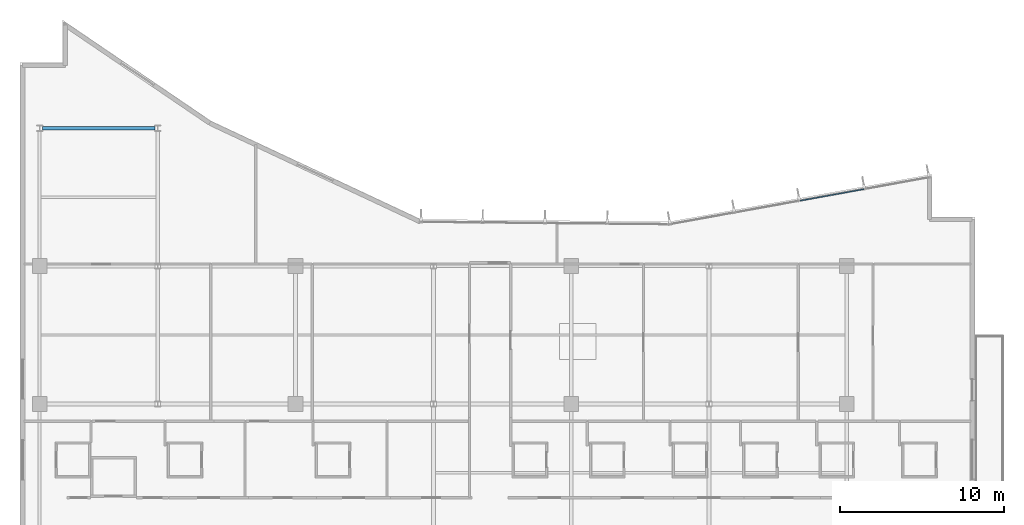
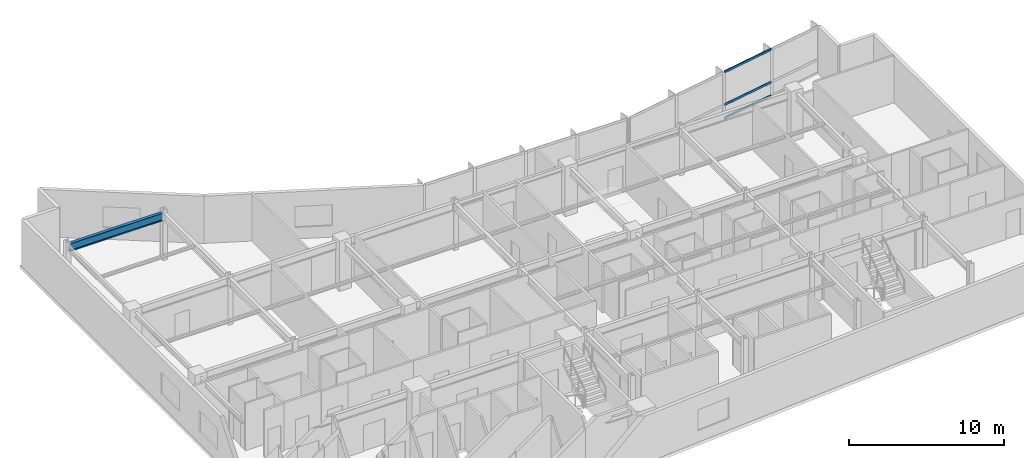
# One storey, part 7 of 19: 3 members, 1 beam, 1 element without a shape of its own.
"""IFC4 building model written with IfcOpenShell, lengths in metres."""

from ifc_helpers import new_model, si_unit, direction, frame, origin, origin_2d, place, context, subcontext, project, spatial, hollow_rectangle, i_section, extrude, material, layer, layer_set, material_profile, profile_set, type_object, element, aggregate, save


model = new_model("IFC4")

# Units and contexts
model_context = context("Model", 3, precision=1e-05, world=origin(), true_north=direction((0.0, 1.0)))
body_context = subcontext(model_context, "Body", "Model", "MODEL_VIEW")
ifc_project = project(units=[si_unit("LENGTHUNIT", "METRE"), si_unit("AREAUNIT", "SQUARE_METRE"), si_unit("VOLUMEUNIT", "CUBIC_METRE"), si_unit("PLANEANGLEUNIT", "RADIAN"), si_unit("MASSUNIT", "GRAM", prefix="KILO")], contexts=[model_context])

# Site, building, storey
site_placement = place(None, origin())
site = spatial("IfcSite", under=ifc_project, at=site_placement, CompositionType="ELEMENT")
building_placement = place(site_placement, origin())
building = spatial("IfcBuilding", under=site, at=building_placement, Name="Varnakote Quay Hospital", CompositionType="ELEMENT")
storey_placement = place(building_placement, frame((0.0, 0.0, 54.10009765625)))
storey = spatial("IfcBuildingStorey", under=building, at=storey_placement, Name="L13", CompositionType="ELEMENT", Elevation=54.10009765625)

# Beam
ifc_material_1 = material(Name="Structural steel AS/NZS 3679.1 Grade 350 L0 (fy 340 MPa)", Category="steel")
ifc_material_profile_1 = material_profile(ifc_material_1, i_section(OverallWidth=0.22900390625, OverallDepth=0.612060546875, WebThickness=0.011962890625, FlangeThickness=0.01953125, FilletRadius=0.013916015625, at=origin_2d()), Name="610UB125")
ifc_profile_set_1 = profile_set([ifc_material_profile_1], Name="Structural steel AS/NZS 3679.1 Grade 350 L0 (fy 340 MPa)")
beam_type = type_object("IfcBeamType", Name="BM-STL-610UB125", PredefinedType="BEAM", material=ifc_profile_set_1)
beam_placement = place(storey_placement, frame((1.375, 37.199951171875, 3.40380859375), z_axis=(1.0, 0.0, 0.0), x_axis=(0.0, 1.0, 0.0)))
element("IfcBeam", 1, at=beam_placement, inside=storey, type_object=beam_type, Name="L13 Primary Floor Beam", PredefinedType="BEAM", context=body_context, shape_type="SweptSolid", body=[
    extrude(i_section(OverallWidth=0.22900390625, OverallDepth=0.612060546875, WebThickness=0.011962890625, FlangeThickness=0.01953125, FilletRadius=0.013916015625, at=origin_2d()), origin(), (0.0, 0.0, 1.0), 6.85009765625),
])

# Curtain wall, members
ifc_material_2 = material(Name="Anodised aluminium 6063-T6 Bronze", Category="aluminium")
ifc_layer = layer(ifc_material_2, 0.18994140625)
ifc_layer_set = layer_set([ifc_layer], Name="Anodised aluminium 6063-T6 Bronze")
curtain_wall_type = type_object("IfcCurtainWallType", Name="CW-SYS-2", PredefinedType="NOTDEFINED", material=ifc_layer_set)
curtain_wall_placement = place(storey_placement, origin())
curtain_wall = element("IfcCurtainWall", 2, at=curtain_wall_placement, inside=storey, type_object=curtain_wall_type, Name="L13 Unitised Bronze Curtain Wall 1", PredefinedType="NOTDEFINED")
ifc_material_3 = material(Name="Anodised aluminium 6063-T6 Bronze", Category="aluminium")
ifc_material_profile_2 = material_profile(ifc_material_3, hollow_rectangle(XDim=0.074951171875, YDim=0.179931640625, WallThickness=0.004150390625, InnerFilletRadius=0.004150390625, OuterFilletRadius=0.00830078125, at=origin_2d()), Name="CW-TRAN-180x75")
ifc_profile_set_2 = profile_set([ifc_material_profile_2], Name="Anodised aluminium 6063-T6 Bronze")
member_type = type_object("IfcMemberType", Name="CW-TRAN-180x75", PredefinedType="USERDEFINED", material=ifc_profile_set_2)
member_1_placement = place(storey_placement, frame((51.4404296875, 33.485595703125, 0.037353515625), z_axis=(-0.984065046829, -0.177808840079, 0.0), x_axis=(0.177808840079, -0.984065046829, 0.0)))
member_1 = element("IfcMember", 3, at=member_1_placement, type_object=member_type, Name="-2-L13-1 transom 2.1", ObjectType="TRANSOM", PredefinedType="USERDEFINED", context=body_context, shape_type="SweptSolid", body=[
    extrude(hollow_rectangle(XDim=0.074951171875, YDim=0.179931640625, WallThickness=0.004150390625, InnerFilletRadius=0.004150390625, OuterFilletRadius=0.00830078125, at=origin_2d()), origin(), (0.0, 0.0, 1.0), 3.95166015625),
])
member_2_placement = place(storey_placement, frame((51.4404296875, 33.485595703125, 1.099853515625), z_axis=(-0.984065046829, -0.177808840079, 0.0), x_axis=(0.177808840079, -0.984065046829, 0.0)))
member_2 = element("IfcMember", 4, at=member_2_placement, type_object=member_type, Name="-2-L13-1 transom 2.2", ObjectType="TRANSOM", PredefinedType="USERDEFINED", context=body_context, shape_type="SweptSolid", body=[
    extrude(hollow_rectangle(XDim=0.074951171875, YDim=0.179931640625, WallThickness=0.004150390625, InnerFilletRadius=0.004150390625, OuterFilletRadius=0.00830078125, at=origin_2d()), origin(), (0.0, 0.0, 1.0), 3.95166015625),
])
member_3_placement = place(storey_placement, frame((51.4404296875, 33.485595703125, 3.67236328125), z_axis=(-0.984065046829, -0.177808840079, 0.0), x_axis=(0.177808840079, -0.984065046829, 0.0)))
member_3 = element("IfcMember", 5, at=member_3_placement, type_object=member_type, Name="-2-L13-1 transom 2.3", ObjectType="TRANSOM", PredefinedType="USERDEFINED", context=body_context, shape_type="SweptSolid", body=[
    extrude(hollow_rectangle(XDim=0.074951171875, YDim=0.179931640625, WallThickness=0.004150390625, InnerFilletRadius=0.004150390625, OuterFilletRadius=0.00830078125, at=origin_2d()), origin(), (0.0, 0.0, 1.0), 3.95166015625),
])
aggregate(curtain_wall, [member_1, member_2, member_3])

save(model, "model.ifc")
